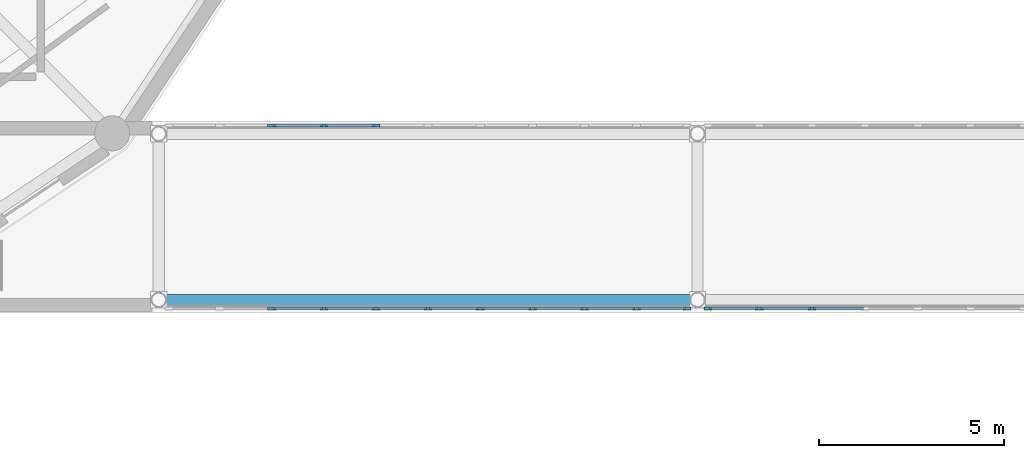
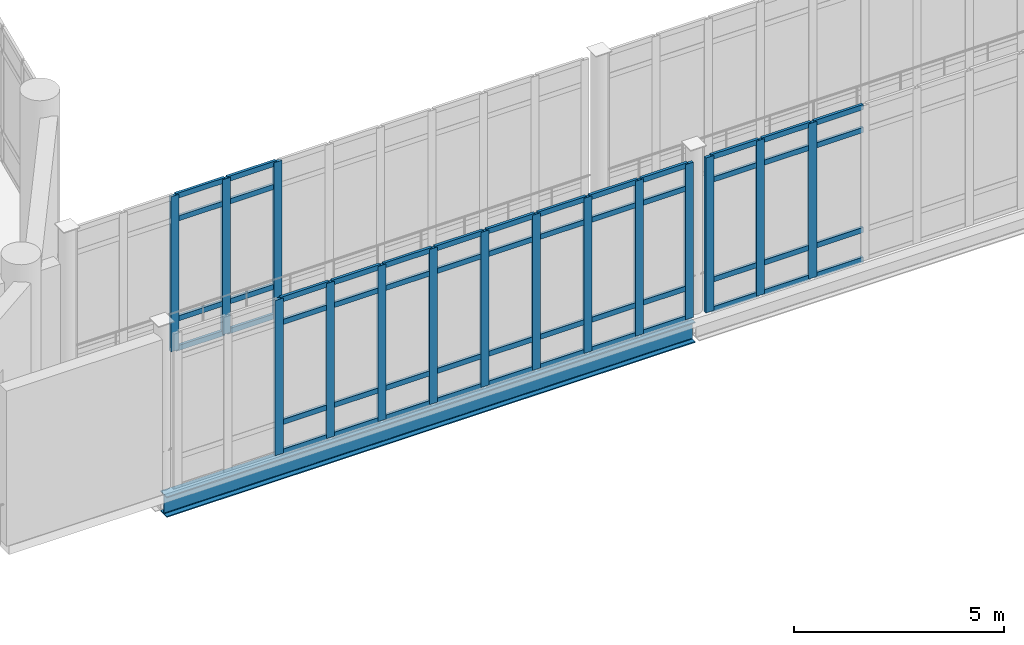
# One storey, part 19 of 89: 67 members, 1 beam, 3 elements without a shape of their own.
"""IFC4 building model written with IfcOpenShell, lengths in metres."""

from ifc_helpers import new_model, si_unit, direction, frame, origin, origin_2d, place, context, subcontext, project, spatial, rectangle, i_section, extrude, material, material_profile, profile_set, type_object, element, aggregate, save


model = new_model("IFC4")

# Units and contexts
model_context = context("Model", 3, precision=1e-05, world=origin(), true_north=direction((0.0, 1.0)))
body_context = subcontext(model_context, "Body", "Model", "MODEL_VIEW")
ifc_project = project(units=[si_unit("LENGTHUNIT", "METRE"), si_unit("AREAUNIT", "SQUARE_METRE"), si_unit("VOLUMEUNIT", "CUBIC_METRE"), si_unit("PLANEANGLEUNIT", "RADIAN"), si_unit("MASSUNIT", "GRAM", prefix="KILO")], contexts=[model_context])

# Site, building, storey
site_placement = place(None, origin())
site = spatial("IfcSite", under=ifc_project, at=site_placement, CompositionType="ELEMENT")
building_placement = place(site_placement, origin())
building = spatial("IfcBuilding", under=site, at=building_placement, Name="Soyqirgoq Riverine Aquarium", CompositionType="ELEMENT")
storey_placement = place(building_placement, frame((0.0, 0.0, 5.39990234375)))
storey = spatial("IfcBuildingStorey", under=building, at=storey_placement, Name="L02", CompositionType="ELEMENT", Elevation=5.39990234375)

# Curtain wall, members
ifc_material_1 = material(Name="Laminated solar-control bridge curtain wall", Category="aluminium")
curtain_wall_type = type_object("IfcCurtainWallType", Name="CW_Bridge_Concourse", PredefinedType="NOTDEFINED", material=ifc_material_1)
curtain_wall_1_placement = place(storey_placement, origin())
curtain_wall_1 = element("IfcCurtainWall", 1, at=curtain_wall_1_placement, inside=storey, type_object=curtain_wall_type, Name="BR-1 L02 Curtain Wall 135", PredefinedType="NOTDEFINED")
ifc_material_2 = material(Name="Anodised aluminium 6063-T6", Category="aluminium")
ifc_material_profile_1 = material_profile(ifc_material_2, rectangle(XDim=0.080078125, YDim=0.219970703125, at=origin_2d()), Name="ALU-M 80x220")
ifc_profile_set_1 = profile_set([ifc_material_profile_1], Name="Anodised aluminium 6063-T6")
member_type_1 = type_object("IfcMemberType", Name="CWMullion_80x220", PredefinedType="MULLION", material=ifc_profile_set_1)
member_1_placement = place(storey_placement, frame((72.6640625, 39.919921875, 0.0), z_axis=(0.0, 0.0, 1.0), x_axis=(0.0, 1.0, 0.0)))
member_1 = element("IfcMember", 2, at=member_1_placement, type_object=member_type_1, Name="CW-06 mullion 3", PredefinedType="MULLION", context=body_context, shape_type="SweptSolid", body=[
    extrude(rectangle(XDim=0.080078125, YDim=0.219970703125, at=origin_2d()), origin(), (0.0, 0.0, 1.0), 4.5),
])
member_2_placement = place(storey_placement, frame((74.075927734375, 39.919921875, 0.0), z_axis=(0.0, 0.0, 1.0), x_axis=(0.0, 1.0, 0.0)))
member_2 = element("IfcMember", 3, at=member_2_placement, type_object=member_type_1, Name="CW-06 mullion 4", PredefinedType="MULLION", context=body_context, shape_type="SweptSolid", body=[
    extrude(rectangle(XDim=0.080078125, YDim=0.219970703125, at=origin_2d()), origin(), (0.0, 0.0, 1.0), 4.5),
])
member_3_placement = place(storey_placement, frame((75.488037109375, 39.919921875, 0.0), z_axis=(0.0, 0.0, 1.0), x_axis=(0.0, 1.0, 0.0)))
member_3 = element("IfcMember", 4, at=member_3_placement, type_object=member_type_1, Name="CW-06 mullion 5", PredefinedType="MULLION", context=body_context, shape_type="SweptSolid", body=[
    extrude(rectangle(XDim=0.080078125, YDim=0.219970703125, at=origin_2d()), origin(), (0.0, 0.0, 1.0), 4.5),
])
member_4_placement = place(storey_placement, frame((76.89990234375, 39.919921875, 0.0), z_axis=(0.0, 0.0, 1.0), x_axis=(0.0, 1.0, 0.0)))
member_4 = element("IfcMember", 5, at=member_4_placement, type_object=member_type_1, Name="CW-06 mullion 6", PredefinedType="MULLION", context=body_context, shape_type="SweptSolid", body=[
    extrude(rectangle(XDim=0.080078125, YDim=0.219970703125, at=origin_2d()), origin(), (0.0, 0.0, 1.0), 4.5),
])
member_5_placement = place(storey_placement, frame((78.31201171875, 39.919921875, 0.0), z_axis=(0.0, 0.0, 1.0), x_axis=(0.0, 1.0, 0.0)))
member_5 = element("IfcMember", 6, at=member_5_placement, type_object=member_type_1, Name="CW-06 mullion 7", PredefinedType="MULLION", context=body_context, shape_type="SweptSolid", body=[
    extrude(rectangle(XDim=0.080078125, YDim=0.219970703125, at=origin_2d()), origin(), (0.0, 0.0, 1.0), 4.5),
])
member_6_placement = place(storey_placement, frame((79.72412109375, 39.919921875, 0.0), z_axis=(0.0, 0.0, 1.0), x_axis=(0.0, 1.0, 0.0)))
member_6 = element("IfcMember", 7, at=member_6_placement, type_object=member_type_1, Name="CW-06 mullion 8", PredefinedType="MULLION", context=body_context, shape_type="SweptSolid", body=[
    extrude(rectangle(XDim=0.080078125, YDim=0.219970703125, at=origin_2d()), origin(), (0.0, 0.0, 1.0), 4.5),
])
member_7_placement = place(storey_placement, frame((81.135986328125, 39.919921875, 0.0), z_axis=(0.0, 0.0, 1.0), x_axis=(0.0, 1.0, 0.0)))
member_7 = element("IfcMember", 8, at=member_7_placement, type_object=member_type_1, Name="CW-06 mullion 9", PredefinedType="MULLION", context=body_context, shape_type="SweptSolid", body=[
    extrude(rectangle(XDim=0.080078125, YDim=0.219970703125, at=origin_2d()), origin(), (0.0, 0.0, 1.0), 4.5),
])
member_8_placement = place(storey_placement, frame((82.548095703125, 39.919921875, 0.0), z_axis=(0.0, 0.0, 1.0), x_axis=(0.0, 1.0, 0.0)))
member_8 = element("IfcMember", 9, at=member_8_placement, type_object=member_type_1, Name="CW-06 mullion 10", PredefinedType="MULLION", context=body_context, shape_type="SweptSolid", body=[
    extrude(rectangle(XDim=0.080078125, YDim=0.219970703125, at=origin_2d()), origin(), (0.0, 0.0, 1.0), 4.5),
])
member_9_placement = place(storey_placement, frame((83.919921875, 39.919921875, 0.0), z_axis=(0.0, 0.0, 1.0), x_axis=(0.0, 1.0, 0.0)))
member_9 = element("IfcMember", 10, at=member_9_placement, type_object=member_type_1, Name="CW-06 mullion 11", PredefinedType="MULLION", context=body_context, shape_type="SweptSolid", body=[
    extrude(rectangle(XDim=0.080078125, YDim=0.219970703125, at=origin_2d()), origin(), (0.0, 0.0, 1.0), 4.5),
])

curtain_wall_2_placement = place(storey_placement, origin())
curtain_wall_2 = element("IfcCurtainWall", 11, at=curtain_wall_2_placement, inside=storey, type_object=curtain_wall_type, Name="BR-1 L02 Curtain Wall 136", PredefinedType="NOTDEFINED")
member_10_placement = place(storey_placement, frame((84.47998046875, 39.919921875, 0.0), z_axis=(0.0, 0.0, 1.0), x_axis=(0.0, 1.0, 0.0)))
member_10 = element("IfcMember", 12, at=member_10_placement, type_object=member_type_1, Name="CW-06 mullion 1", PredefinedType="MULLION", context=body_context, shape_type="SweptSolid", body=[
    extrude(rectangle(XDim=0.080078125, YDim=0.219970703125, at=origin_2d()), origin(), (0.0, 0.0, 1.0), 4.5),
])
member_11_placement = place(storey_placement, frame((85.8720703125, 39.919921875, 0.0), z_axis=(0.0, 0.0, 1.0), x_axis=(0.0, 1.0, 0.0)))
member_11 = element("IfcMember", 13, at=member_11_placement, type_object=member_type_1, Name="CW-06 mullion 2", PredefinedType="MULLION", context=body_context, shape_type="SweptSolid", body=[
    extrude(rectangle(XDim=0.080078125, YDim=0.219970703125, at=origin_2d()), origin(), (0.0, 0.0, 1.0), 4.5),
])
member_12_placement = place(storey_placement, frame((87.303955078125, 39.919921875, 0.0), z_axis=(0.0, 0.0, 1.0), x_axis=(0.0, 1.0, 0.0)))
member_12 = element("IfcMember", 14, at=member_12_placement, type_object=member_type_1, Name="CW-06 mullion 3", PredefinedType="MULLION", context=body_context, shape_type="SweptSolid", body=[
    extrude(rectangle(XDim=0.080078125, YDim=0.219970703125, at=origin_2d()), origin(), (0.0, 0.0, 1.0), 4.5),
])

curtain_wall_3_placement = place(storey_placement, origin())
curtain_wall_3 = element("IfcCurtainWall", 15, at=curtain_wall_3_placement, inside=storey, type_object=curtain_wall_type, Name="BR-1 L02 Curtain Wall 138", PredefinedType="NOTDEFINED")
member_13_placement = place(storey_placement, frame((72.6640625, 44.8798828125, 0.0), z_axis=(0.0, 0.0, 1.0), x_axis=(0.0, 1.0, 0.0)))
member_13 = element("IfcMember", 16, at=member_13_placement, type_object=member_type_1, Name="CW-06 mullion 3", PredefinedType="MULLION", context=body_context, shape_type="SweptSolid", body=[
    extrude(rectangle(XDim=0.080078125, YDim=0.219970703125, at=origin_2d()), origin(), (0.0, 0.0, 1.0), 4.5),
])
member_14_placement = place(storey_placement, frame((74.075927734375, 44.8798828125, 0.0), z_axis=(0.0, 0.0, 1.0), x_axis=(0.0, 1.0, 0.0)))
member_14 = element("IfcMember", 17, at=member_14_placement, type_object=member_type_1, Name="CW-06 mullion 4", PredefinedType="MULLION", context=body_context, shape_type="SweptSolid", body=[
    extrude(rectangle(XDim=0.080078125, YDim=0.219970703125, at=origin_2d()), origin(), (0.0, 0.0, 1.0), 4.5),
])
member_15_placement = place(storey_placement, frame((75.488037109375, 44.8798828125, 0.0), z_axis=(0.0, 0.0, 1.0), x_axis=(0.0, 1.0, 0.0)))
member_15 = element("IfcMember", 18, at=member_15_placement, type_object=member_type_1, Name="CW-06 mullion 5", PredefinedType="MULLION", context=body_context, shape_type="SweptSolid", body=[
    extrude(rectangle(XDim=0.080078125, YDim=0.219970703125, at=origin_2d()), origin(), (0.0, 0.0, 1.0), 4.5),
])

# Member
ifc_material_3 = material(Name="Anodised aluminium 6063-T6", Category="aluminium")
ifc_material_profile_2 = material_profile(ifc_material_3, rectangle(XDim=0.074951171875, YDim=0.14990234375, at=origin_2d()), Name="ALU-T 75x150")
ifc_profile_set_2 = profile_set([ifc_material_profile_2], Name="Anodised aluminium 6063-T6")
member_type_2 = type_object("IfcMemberType", Name="CWTransom_75x150", PredefinedType="USERDEFINED", material=ifc_profile_set_2)
member_16_placement = place(storey_placement, frame((72.7041015625, 39.919921875, 0.03759765625), z_axis=(1.0, 0.0, 0.0), x_axis=(0.0, 1.0, 0.0)))
member_16 = element("IfcMember", 19, at=member_16_placement, type_object=member_type_2, Name="CW-06 transom 3.1", ObjectType="TRANSOM", PredefinedType="USERDEFINED", context=body_context, shape_type="SweptSolid", body=[
    extrude(rectangle(XDim=0.074951171875, YDim=0.14990234375, at=origin_2d()), origin(), (0.0, 0.0, 1.0), 1.331787109375),
])

member_17_placement = place(storey_placement, frame((72.7041015625, 39.919921875, 0.900146484375), z_axis=(1.0, 0.0, 0.0), x_axis=(0.0, 1.0, 0.0)))
member_17 = element("IfcMember", 20, at=member_17_placement, type_object=member_type_2, Name="CW-06 transom 3.2", ObjectType="TRANSOM", PredefinedType="USERDEFINED", context=body_context, shape_type="SweptSolid", body=[
    extrude(rectangle(XDim=0.074951171875, YDim=0.14990234375, at=origin_2d()), origin(), (0.0, 0.0, 1.0), 1.331787109375),
])

member_18_placement = place(storey_placement, frame((72.7041015625, 39.919921875, 3.800048828125), z_axis=(1.0, 0.0, 0.0), x_axis=(0.0, 1.0, 0.0)))
member_18 = element("IfcMember", 21, at=member_18_placement, type_object=member_type_2, Name="CW-06 transom 3.3", ObjectType="TRANSOM", PredefinedType="USERDEFINED", context=body_context, shape_type="SweptSolid", body=[
    extrude(rectangle(XDim=0.074951171875, YDim=0.14990234375, at=origin_2d()), origin(), (0.0, 0.0, 1.0), 1.331787109375),
])

member_19_placement = place(storey_placement, frame((72.7041015625, 39.919921875, 4.462646484375), z_axis=(1.0, 0.0, 0.0), x_axis=(0.0, 1.0, 0.0)))
member_19 = element("IfcMember", 22, at=member_19_placement, type_object=member_type_2, Name="CW-06 transom 3.4", ObjectType="TRANSOM", PredefinedType="USERDEFINED", context=body_context, shape_type="SweptSolid", body=[
    extrude(rectangle(XDim=0.074951171875, YDim=0.14990234375, at=origin_2d()), origin(), (0.0, 0.0, 1.0), 1.331787109375),
])

member_20_placement = place(storey_placement, frame((74.115966796875, 39.919921875, 0.03759765625), z_axis=(1.0, 0.0, 0.0), x_axis=(0.0, 1.0, 0.0)))
member_20 = element("IfcMember", 23, at=member_20_placement, type_object=member_type_2, Name="CW-06 transom 4.1", ObjectType="TRANSOM", PredefinedType="USERDEFINED", context=body_context, shape_type="SweptSolid", body=[
    extrude(rectangle(XDim=0.074951171875, YDim=0.14990234375, at=origin_2d()), origin(), (0.0, 0.0, 1.0), 1.33203125),
])

member_21_placement = place(storey_placement, frame((74.115966796875, 39.919921875, 0.900146484375), z_axis=(1.0, 0.0, 0.0), x_axis=(0.0, 1.0, 0.0)))
member_21 = element("IfcMember", 24, at=member_21_placement, type_object=member_type_2, Name="CW-06 transom 4.2", ObjectType="TRANSOM", PredefinedType="USERDEFINED", context=body_context, shape_type="SweptSolid", body=[
    extrude(rectangle(XDim=0.074951171875, YDim=0.14990234375, at=origin_2d()), origin(), (0.0, 0.0, 1.0), 1.33203125),
])

member_22_placement = place(storey_placement, frame((74.115966796875, 39.919921875, 3.800048828125), z_axis=(1.0, 0.0, 0.0), x_axis=(0.0, 1.0, 0.0)))
member_22 = element("IfcMember", 25, at=member_22_placement, type_object=member_type_2, Name="CW-06 transom 4.3", ObjectType="TRANSOM", PredefinedType="USERDEFINED", context=body_context, shape_type="SweptSolid", body=[
    extrude(rectangle(XDim=0.074951171875, YDim=0.14990234375, at=origin_2d()), origin(), (0.0, 0.0, 1.0), 1.33203125),
])

member_23_placement = place(storey_placement, frame((74.115966796875, 39.919921875, 4.462646484375), z_axis=(1.0, 0.0, 0.0), x_axis=(0.0, 1.0, 0.0)))
member_23 = element("IfcMember", 26, at=member_23_placement, type_object=member_type_2, Name="CW-06 transom 4.4", ObjectType="TRANSOM", PredefinedType="USERDEFINED", context=body_context, shape_type="SweptSolid", body=[
    extrude(rectangle(XDim=0.074951171875, YDim=0.14990234375, at=origin_2d()), origin(), (0.0, 0.0, 1.0), 1.33203125),
])

member_24_placement = place(storey_placement, frame((75.528076171875, 39.919921875, 0.03759765625), z_axis=(1.0, 0.0, 0.0), x_axis=(0.0, 1.0, 0.0)))
member_24 = element("IfcMember", 27, at=member_24_placement, type_object=member_type_2, Name="CW-06 transom 5.1", ObjectType="TRANSOM", PredefinedType="USERDEFINED", context=body_context, shape_type="SweptSolid", body=[
    extrude(rectangle(XDim=0.074951171875, YDim=0.14990234375, at=origin_2d()), origin(), (0.0, 0.0, 1.0), 1.33203125),
])

member_25_placement = place(storey_placement, frame((75.528076171875, 39.919921875, 0.900146484375), z_axis=(1.0, 0.0, 0.0), x_axis=(0.0, 1.0, 0.0)))
member_25 = element("IfcMember", 28, at=member_25_placement, type_object=member_type_2, Name="CW-06 transom 5.2", ObjectType="TRANSOM", PredefinedType="USERDEFINED", context=body_context, shape_type="SweptSolid", body=[
    extrude(rectangle(XDim=0.074951171875, YDim=0.14990234375, at=origin_2d()), origin(), (0.0, 0.0, 1.0), 1.33203125),
])

member_26_placement = place(storey_placement, frame((75.528076171875, 39.919921875, 3.800048828125), z_axis=(1.0, 0.0, 0.0), x_axis=(0.0, 1.0, 0.0)))
member_26 = element("IfcMember", 29, at=member_26_placement, type_object=member_type_2, Name="CW-06 transom 5.3", ObjectType="TRANSOM", PredefinedType="USERDEFINED", context=body_context, shape_type="SweptSolid", body=[
    extrude(rectangle(XDim=0.074951171875, YDim=0.14990234375, at=origin_2d()), origin(), (0.0, 0.0, 1.0), 1.33203125),
])

member_27_placement = place(storey_placement, frame((75.528076171875, 39.919921875, 4.462646484375), z_axis=(1.0, 0.0, 0.0), x_axis=(0.0, 1.0, 0.0)))
member_27 = element("IfcMember", 30, at=member_27_placement, type_object=member_type_2, Name="CW-06 transom 5.4", ObjectType="TRANSOM", PredefinedType="USERDEFINED", context=body_context, shape_type="SweptSolid", body=[
    extrude(rectangle(XDim=0.074951171875, YDim=0.14990234375, at=origin_2d()), origin(), (0.0, 0.0, 1.0), 1.33203125),
])

member_28_placement = place(storey_placement, frame((76.93994140625, 39.919921875, 0.03759765625), z_axis=(1.0, 0.0, 0.0), x_axis=(0.0, 1.0, 0.0)))
member_28 = element("IfcMember", 31, at=member_28_placement, type_object=member_type_2, Name="CW-06 transom 6.1", ObjectType="TRANSOM", PredefinedType="USERDEFINED", context=body_context, shape_type="SweptSolid", body=[
    extrude(rectangle(XDim=0.074951171875, YDim=0.14990234375, at=origin_2d()), origin(), (0.0, 0.0, 1.0), 1.33203125),
])

member_29_placement = place(storey_placement, frame((76.93994140625, 39.919921875, 0.900146484375), z_axis=(1.0, 0.0, 0.0), x_axis=(0.0, 1.0, 0.0)))
member_29 = element("IfcMember", 32, at=member_29_placement, type_object=member_type_2, Name="CW-06 transom 6.2", ObjectType="TRANSOM", PredefinedType="USERDEFINED", context=body_context, shape_type="SweptSolid", body=[
    extrude(rectangle(XDim=0.074951171875, YDim=0.14990234375, at=origin_2d()), origin(), (0.0, 0.0, 1.0), 1.33203125),
])

member_30_placement = place(storey_placement, frame((76.93994140625, 39.919921875, 3.800048828125), z_axis=(1.0, 0.0, 0.0), x_axis=(0.0, 1.0, 0.0)))
member_30 = element("IfcMember", 33, at=member_30_placement, type_object=member_type_2, Name="CW-06 transom 6.3", ObjectType="TRANSOM", PredefinedType="USERDEFINED", context=body_context, shape_type="SweptSolid", body=[
    extrude(rectangle(XDim=0.074951171875, YDim=0.14990234375, at=origin_2d()), origin(), (0.0, 0.0, 1.0), 1.33203125),
])

member_31_placement = place(storey_placement, frame((76.93994140625, 39.919921875, 4.462646484375), z_axis=(1.0, 0.0, 0.0), x_axis=(0.0, 1.0, 0.0)))
member_31 = element("IfcMember", 34, at=member_31_placement, type_object=member_type_2, Name="CW-06 transom 6.4", ObjectType="TRANSOM", PredefinedType="USERDEFINED", context=body_context, shape_type="SweptSolid", body=[
    extrude(rectangle(XDim=0.074951171875, YDim=0.14990234375, at=origin_2d()), origin(), (0.0, 0.0, 1.0), 1.33203125),
])

member_32_placement = place(storey_placement, frame((78.35205078125, 39.919921875, 0.03759765625), z_axis=(1.0, 0.0, 0.0), x_axis=(0.0, 1.0, 0.0)))
member_32 = element("IfcMember", 35, at=member_32_placement, type_object=member_type_2, Name="CW-06 transom 7.1", ObjectType="TRANSOM", PredefinedType="USERDEFINED", context=body_context, shape_type="SweptSolid", body=[
    extrude(rectangle(XDim=0.074951171875, YDim=0.14990234375, at=origin_2d()), origin(), (0.0, 0.0, 1.0), 1.33203125),
])

member_33_placement = place(storey_placement, frame((78.35205078125, 39.919921875, 0.900146484375), z_axis=(1.0, 0.0, 0.0), x_axis=(0.0, 1.0, 0.0)))
member_33 = element("IfcMember", 36, at=member_33_placement, type_object=member_type_2, Name="CW-06 transom 7.2", ObjectType="TRANSOM", PredefinedType="USERDEFINED", context=body_context, shape_type="SweptSolid", body=[
    extrude(rectangle(XDim=0.074951171875, YDim=0.14990234375, at=origin_2d()), origin(), (0.0, 0.0, 1.0), 1.33203125),
])

member_34_placement = place(storey_placement, frame((78.35205078125, 39.919921875, 3.800048828125), z_axis=(1.0, 0.0, 0.0), x_axis=(0.0, 1.0, 0.0)))
member_34 = element("IfcMember", 37, at=member_34_placement, type_object=member_type_2, Name="CW-06 transom 7.3", ObjectType="TRANSOM", PredefinedType="USERDEFINED", context=body_context, shape_type="SweptSolid", body=[
    extrude(rectangle(XDim=0.074951171875, YDim=0.14990234375, at=origin_2d()), origin(), (0.0, 0.0, 1.0), 1.33203125),
])

member_35_placement = place(storey_placement, frame((78.35205078125, 39.919921875, 4.462646484375), z_axis=(1.0, 0.0, 0.0), x_axis=(0.0, 1.0, 0.0)))
member_35 = element("IfcMember", 38, at=member_35_placement, type_object=member_type_2, Name="CW-06 transom 7.4", ObjectType="TRANSOM", PredefinedType="USERDEFINED", context=body_context, shape_type="SweptSolid", body=[
    extrude(rectangle(XDim=0.074951171875, YDim=0.14990234375, at=origin_2d()), origin(), (0.0, 0.0, 1.0), 1.33203125),
])

member_36_placement = place(storey_placement, frame((79.763916015625, 39.919921875, 0.03759765625), z_axis=(1.0, 0.0, 0.0), x_axis=(0.0, 1.0, 0.0)))
member_36 = element("IfcMember", 39, at=member_36_placement, type_object=member_type_2, Name="CW-06 transom 8.1", ObjectType="TRANSOM", PredefinedType="USERDEFINED", context=body_context, shape_type="SweptSolid", body=[
    extrude(rectangle(XDim=0.074951171875, YDim=0.14990234375, at=origin_2d()), origin(), (0.0, 0.0, 1.0), 1.33203125),
])

member_37_placement = place(storey_placement, frame((79.763916015625, 39.919921875, 0.900146484375), z_axis=(1.0, 0.0, 0.0), x_axis=(0.0, 1.0, 0.0)))
member_37 = element("IfcMember", 40, at=member_37_placement, type_object=member_type_2, Name="CW-06 transom 8.2", ObjectType="TRANSOM", PredefinedType="USERDEFINED", context=body_context, shape_type="SweptSolid", body=[
    extrude(rectangle(XDim=0.074951171875, YDim=0.14990234375, at=origin_2d()), origin(), (0.0, 0.0, 1.0), 1.33203125),
])

member_38_placement = place(storey_placement, frame((79.763916015625, 39.919921875, 3.800048828125), z_axis=(1.0, 0.0, 0.0), x_axis=(0.0, 1.0, 0.0)))
member_38 = element("IfcMember", 41, at=member_38_placement, type_object=member_type_2, Name="CW-06 transom 8.3", ObjectType="TRANSOM", PredefinedType="USERDEFINED", context=body_context, shape_type="SweptSolid", body=[
    extrude(rectangle(XDim=0.074951171875, YDim=0.14990234375, at=origin_2d()), origin(), (0.0, 0.0, 1.0), 1.33203125),
])

member_39_placement = place(storey_placement, frame((79.763916015625, 39.919921875, 4.462646484375), z_axis=(1.0, 0.0, 0.0), x_axis=(0.0, 1.0, 0.0)))
member_39 = element("IfcMember", 42, at=member_39_placement, type_object=member_type_2, Name="CW-06 transom 8.4", ObjectType="TRANSOM", PredefinedType="USERDEFINED", context=body_context, shape_type="SweptSolid", body=[
    extrude(rectangle(XDim=0.074951171875, YDim=0.14990234375, at=origin_2d()), origin(), (0.0, 0.0, 1.0), 1.33203125),
])

member_40_placement = place(storey_placement, frame((81.176025390625, 39.919921875, 0.03759765625), z_axis=(1.0, 0.0, 0.0), x_axis=(0.0, 1.0, 0.0)))
member_40 = element("IfcMember", 43, at=member_40_placement, type_object=member_type_2, Name="CW-06 transom 9.1", ObjectType="TRANSOM", PredefinedType="USERDEFINED", context=body_context, shape_type="SweptSolid", body=[
    extrude(rectangle(XDim=0.074951171875, YDim=0.14990234375, at=origin_2d()), origin(), (0.0, 0.0, 1.0), 1.33203125),
])

member_41_placement = place(storey_placement, frame((81.176025390625, 39.919921875, 0.900146484375), z_axis=(1.0, 0.0, 0.0), x_axis=(0.0, 1.0, 0.0)))
member_41 = element("IfcMember", 44, at=member_41_placement, type_object=member_type_2, Name="CW-06 transom 9.2", ObjectType="TRANSOM", PredefinedType="USERDEFINED", context=body_context, shape_type="SweptSolid", body=[
    extrude(rectangle(XDim=0.074951171875, YDim=0.14990234375, at=origin_2d()), origin(), (0.0, 0.0, 1.0), 1.33203125),
])

member_42_placement = place(storey_placement, frame((81.176025390625, 39.919921875, 3.800048828125), z_axis=(1.0, 0.0, 0.0), x_axis=(0.0, 1.0, 0.0)))
member_42 = element("IfcMember", 45, at=member_42_placement, type_object=member_type_2, Name="CW-06 transom 9.3", ObjectType="TRANSOM", PredefinedType="USERDEFINED", context=body_context, shape_type="SweptSolid", body=[
    extrude(rectangle(XDim=0.074951171875, YDim=0.14990234375, at=origin_2d()), origin(), (0.0, 0.0, 1.0), 1.33203125),
])

member_43_placement = place(storey_placement, frame((81.176025390625, 39.919921875, 4.462646484375), z_axis=(1.0, 0.0, 0.0), x_axis=(0.0, 1.0, 0.0)))
member_43 = element("IfcMember", 46, at=member_43_placement, type_object=member_type_2, Name="CW-06 transom 9.4", ObjectType="TRANSOM", PredefinedType="USERDEFINED", context=body_context, shape_type="SweptSolid", body=[
    extrude(rectangle(XDim=0.074951171875, YDim=0.14990234375, at=origin_2d()), origin(), (0.0, 0.0, 1.0), 1.33203125),
])

member_44_placement = place(storey_placement, frame((82.587890625, 39.919921875, 0.03759765625), z_axis=(1.0, 0.0, 0.0), x_axis=(0.0, 1.0, 0.0)))
member_44 = element("IfcMember", 47, at=member_44_placement, type_object=member_type_2, Name="CW-06 transom 10.1", ObjectType="TRANSOM", PredefinedType="USERDEFINED", context=body_context, shape_type="SweptSolid", body=[
    extrude(rectangle(XDim=0.074951171875, YDim=0.14990234375, at=origin_2d()), origin(), (0.0, 0.0, 1.0), 1.2919921875),
])

member_45_placement = place(storey_placement, frame((82.587890625, 39.919921875, 0.900146484375), z_axis=(1.0, 0.0, 0.0), x_axis=(0.0, 1.0, 0.0)))
member_45 = element("IfcMember", 48, at=member_45_placement, type_object=member_type_2, Name="CW-06 transom 10.2", ObjectType="TRANSOM", PredefinedType="USERDEFINED", context=body_context, shape_type="SweptSolid", body=[
    extrude(rectangle(XDim=0.074951171875, YDim=0.14990234375, at=origin_2d()), origin(), (0.0, 0.0, 1.0), 1.2919921875),
])

member_46_placement = place(storey_placement, frame((82.587890625, 39.919921875, 3.800048828125), z_axis=(1.0, 0.0, 0.0), x_axis=(0.0, 1.0, 0.0)))
member_46 = element("IfcMember", 49, at=member_46_placement, type_object=member_type_2, Name="CW-06 transom 10.3", ObjectType="TRANSOM", PredefinedType="USERDEFINED", context=body_context, shape_type="SweptSolid", body=[
    extrude(rectangle(XDim=0.074951171875, YDim=0.14990234375, at=origin_2d()), origin(), (0.0, 0.0, 1.0), 1.2919921875),
])

member_47_placement = place(storey_placement, frame((82.587890625, 39.919921875, 4.462646484375), z_axis=(1.0, 0.0, 0.0), x_axis=(0.0, 1.0, 0.0)))
member_47 = element("IfcMember", 50, at=member_47_placement, type_object=member_type_2, Name="CW-06 transom 10.4", ObjectType="TRANSOM", PredefinedType="USERDEFINED", context=body_context, shape_type="SweptSolid", body=[
    extrude(rectangle(XDim=0.074951171875, YDim=0.14990234375, at=origin_2d()), origin(), (0.0, 0.0, 1.0), 1.2919921875),
])

aggregate(curtain_wall_1, [member_1, member_2, member_3, member_4, member_5, member_6, member_7, member_8, member_9, member_16, member_17, member_18, member_19, member_20, member_21, member_22, member_23, member_24, member_25, member_26, member_27, member_28, member_29, member_30, member_31, member_32, member_33, member_34, member_35, member_36, member_37, member_38, member_39, member_40, member_41, member_42, member_43, member_44, member_45, member_46, member_47])

member_48_placement = place(storey_placement, frame((84.52001953125, 39.919921875, 0.03759765625), z_axis=(1.0, 0.0, 0.0), x_axis=(0.0, 1.0, 0.0)))
member_48 = element("IfcMember", 51, at=member_48_placement, type_object=member_type_2, Name="CW-06 transom 1.1", ObjectType="TRANSOM", PredefinedType="USERDEFINED", context=body_context, shape_type="SweptSolid", body=[
    extrude(rectangle(XDim=0.074951171875, YDim=0.14990234375, at=origin_2d()), origin(), (0.0, 0.0, 1.0), 1.31201171875),
])

member_49_placement = place(storey_placement, frame((84.52001953125, 39.919921875, 0.900146484375), z_axis=(1.0, 0.0, 0.0), x_axis=(0.0, 1.0, 0.0)))
member_49 = element("IfcMember", 52, at=member_49_placement, type_object=member_type_2, Name="CW-06 transom 1.2", ObjectType="TRANSOM", PredefinedType="USERDEFINED", context=body_context, shape_type="SweptSolid", body=[
    extrude(rectangle(XDim=0.074951171875, YDim=0.14990234375, at=origin_2d()), origin(), (0.0, 0.0, 1.0), 1.31201171875),
])

member_50_placement = place(storey_placement, frame((84.52001953125, 39.919921875, 3.800048828125), z_axis=(1.0, 0.0, 0.0), x_axis=(0.0, 1.0, 0.0)))
member_50 = element("IfcMember", 53, at=member_50_placement, type_object=member_type_2, Name="CW-06 transom 1.3", ObjectType="TRANSOM", PredefinedType="USERDEFINED", context=body_context, shape_type="SweptSolid", body=[
    extrude(rectangle(XDim=0.074951171875, YDim=0.14990234375, at=origin_2d()), origin(), (0.0, 0.0, 1.0), 1.31201171875),
])

member_51_placement = place(storey_placement, frame((84.52001953125, 39.919921875, 4.462646484375), z_axis=(1.0, 0.0, 0.0), x_axis=(0.0, 1.0, 0.0)))
member_51 = element("IfcMember", 54, at=member_51_placement, type_object=member_type_2, Name="CW-06 transom 1.4", ObjectType="TRANSOM", PredefinedType="USERDEFINED", context=body_context, shape_type="SweptSolid", body=[
    extrude(rectangle(XDim=0.074951171875, YDim=0.14990234375, at=origin_2d()), origin(), (0.0, 0.0, 1.0), 1.31201171875),
])

member_52_placement = place(storey_placement, frame((85.912109375, 39.919921875, 0.03759765625), z_axis=(1.0, 0.0, 0.0), x_axis=(0.0, 1.0, 0.0)))
member_52 = element("IfcMember", 55, at=member_52_placement, type_object=member_type_2, Name="CW-06 transom 2.1", ObjectType="TRANSOM", PredefinedType="USERDEFINED", context=body_context, shape_type="SweptSolid", body=[
    extrude(rectangle(XDim=0.074951171875, YDim=0.14990234375, at=origin_2d()), origin(), (0.0, 0.0, 1.0), 1.351806640625),
])

member_53_placement = place(storey_placement, frame((85.912109375, 39.919921875, 0.900146484375), z_axis=(1.0, 0.0, 0.0), x_axis=(0.0, 1.0, 0.0)))
member_53 = element("IfcMember", 56, at=member_53_placement, type_object=member_type_2, Name="CW-06 transom 2.2", ObjectType="TRANSOM", PredefinedType="USERDEFINED", context=body_context, shape_type="SweptSolid", body=[
    extrude(rectangle(XDim=0.074951171875, YDim=0.14990234375, at=origin_2d()), origin(), (0.0, 0.0, 1.0), 1.351806640625),
])

member_54_placement = place(storey_placement, frame((85.912109375, 39.919921875, 3.800048828125), z_axis=(1.0, 0.0, 0.0), x_axis=(0.0, 1.0, 0.0)))
member_54 = element("IfcMember", 57, at=member_54_placement, type_object=member_type_2, Name="CW-06 transom 2.3", ObjectType="TRANSOM", PredefinedType="USERDEFINED", context=body_context, shape_type="SweptSolid", body=[
    extrude(rectangle(XDim=0.074951171875, YDim=0.14990234375, at=origin_2d()), origin(), (0.0, 0.0, 1.0), 1.351806640625),
])

member_55_placement = place(storey_placement, frame((85.912109375, 39.919921875, 4.462646484375), z_axis=(1.0, 0.0, 0.0), x_axis=(0.0, 1.0, 0.0)))
member_55 = element("IfcMember", 58, at=member_55_placement, type_object=member_type_2, Name="CW-06 transom 2.4", ObjectType="TRANSOM", PredefinedType="USERDEFINED", context=body_context, shape_type="SweptSolid", body=[
    extrude(rectangle(XDim=0.074951171875, YDim=0.14990234375, at=origin_2d()), origin(), (0.0, 0.0, 1.0), 1.351806640625),
])

member_56_placement = place(storey_placement, frame((87.343994140625, 39.919921875, 0.03759765625), z_axis=(1.0, 0.0, 0.0), x_axis=(0.0, 1.0, 0.0)))
member_56 = element("IfcMember", 59, at=member_56_placement, type_object=member_type_2, Name="CW-06 transom 3.1", ObjectType="TRANSOM", PredefinedType="USERDEFINED", context=body_context, shape_type="SweptSolid", body=[
    extrude(rectangle(XDim=0.074951171875, YDim=0.14990234375, at=origin_2d()), origin(), (0.0, 0.0, 1.0), 1.35205078125),
])

member_57_placement = place(storey_placement, frame((87.343994140625, 39.919921875, 0.900146484375), z_axis=(1.0, 0.0, 0.0), x_axis=(0.0, 1.0, 0.0)))
member_57 = element("IfcMember", 60, at=member_57_placement, type_object=member_type_2, Name="CW-06 transom 3.2", ObjectType="TRANSOM", PredefinedType="USERDEFINED", context=body_context, shape_type="SweptSolid", body=[
    extrude(rectangle(XDim=0.074951171875, YDim=0.14990234375, at=origin_2d()), origin(), (0.0, 0.0, 1.0), 1.35205078125),
])

member_58_placement = place(storey_placement, frame((87.343994140625, 39.919921875, 3.800048828125), z_axis=(1.0, 0.0, 0.0), x_axis=(0.0, 1.0, 0.0)))
member_58 = element("IfcMember", 61, at=member_58_placement, type_object=member_type_2, Name="CW-06 transom 3.3", ObjectType="TRANSOM", PredefinedType="USERDEFINED", context=body_context, shape_type="SweptSolid", body=[
    extrude(rectangle(XDim=0.074951171875, YDim=0.14990234375, at=origin_2d()), origin(), (0.0, 0.0, 1.0), 1.35205078125),
])

member_59_placement = place(storey_placement, frame((87.343994140625, 39.919921875, 4.462646484375), z_axis=(1.0, 0.0, 0.0), x_axis=(0.0, 1.0, 0.0)))
member_59 = element("IfcMember", 62, at=member_59_placement, type_object=member_type_2, Name="CW-06 transom 3.4", ObjectType="TRANSOM", PredefinedType="USERDEFINED", context=body_context, shape_type="SweptSolid", body=[
    extrude(rectangle(XDim=0.074951171875, YDim=0.14990234375, at=origin_2d()), origin(), (0.0, 0.0, 1.0), 1.35205078125),
])

aggregate(curtain_wall_2, [member_10, member_11, member_12, member_48, member_49, member_50, member_51, member_52, member_53, member_54, member_55, member_56, member_57, member_58, member_59])

member_60_placement = place(storey_placement, frame((72.7041015625, 44.8798828125, 0.03759765625), z_axis=(1.0, 0.0, 0.0), x_axis=(0.0, 1.0, 0.0)))
member_60 = element("IfcMember", 63, at=member_60_placement, type_object=member_type_2, Name="CW-06 transom 3.1", ObjectType="TRANSOM", PredefinedType="USERDEFINED", context=body_context, shape_type="SweptSolid", body=[
    extrude(rectangle(XDim=0.074951171875, YDim=0.14990234375, at=origin_2d()), origin(), (0.0, 0.0, 1.0), 1.331787109375),
])

member_61_placement = place(storey_placement, frame((72.7041015625, 44.8798828125, 0.900146484375), z_axis=(1.0, 0.0, 0.0), x_axis=(0.0, 1.0, 0.0)))
member_61 = element("IfcMember", 64, at=member_61_placement, type_object=member_type_2, Name="CW-06 transom 3.2", ObjectType="TRANSOM", PredefinedType="USERDEFINED", context=body_context, shape_type="SweptSolid", body=[
    extrude(rectangle(XDim=0.074951171875, YDim=0.14990234375, at=origin_2d()), origin(), (0.0, 0.0, 1.0), 1.331787109375),
])

member_62_placement = place(storey_placement, frame((72.7041015625, 44.8798828125, 3.800048828125), z_axis=(1.0, 0.0, 0.0), x_axis=(0.0, 1.0, 0.0)))
member_62 = element("IfcMember", 65, at=member_62_placement, type_object=member_type_2, Name="CW-06 transom 3.3", ObjectType="TRANSOM", PredefinedType="USERDEFINED", context=body_context, shape_type="SweptSolid", body=[
    extrude(rectangle(XDim=0.074951171875, YDim=0.14990234375, at=origin_2d()), origin(), (0.0, 0.0, 1.0), 1.331787109375),
])

member_63_placement = place(storey_placement, frame((72.7041015625, 44.8798828125, 4.462646484375), z_axis=(1.0, 0.0, 0.0), x_axis=(0.0, 1.0, 0.0)))
member_63 = element("IfcMember", 66, at=member_63_placement, type_object=member_type_2, Name="CW-06 transom 3.4", ObjectType="TRANSOM", PredefinedType="USERDEFINED", context=body_context, shape_type="SweptSolid", body=[
    extrude(rectangle(XDim=0.074951171875, YDim=0.14990234375, at=origin_2d()), origin(), (0.0, 0.0, 1.0), 1.331787109375),
])

member_64_placement = place(storey_placement, frame((74.115966796875, 44.8798828125, 0.03759765625), z_axis=(1.0, 0.0, 0.0), x_axis=(0.0, 1.0, 0.0)))
member_64 = element("IfcMember", 67, at=member_64_placement, type_object=member_type_2, Name="CW-06 transom 4.1", ObjectType="TRANSOM", PredefinedType="USERDEFINED", context=body_context, shape_type="SweptSolid", body=[
    extrude(rectangle(XDim=0.074951171875, YDim=0.14990234375, at=origin_2d()), origin(), (0.0, 0.0, 1.0), 1.33203125),
])

member_65_placement = place(storey_placement, frame((74.115966796875, 44.8798828125, 0.900146484375), z_axis=(1.0, 0.0, 0.0), x_axis=(0.0, 1.0, 0.0)))
member_65 = element("IfcMember", 68, at=member_65_placement, type_object=member_type_2, Name="CW-06 transom 4.2", ObjectType="TRANSOM", PredefinedType="USERDEFINED", context=body_context, shape_type="SweptSolid", body=[
    extrude(rectangle(XDim=0.074951171875, YDim=0.14990234375, at=origin_2d()), origin(), (0.0, 0.0, 1.0), 1.33203125),
])

member_66_placement = place(storey_placement, frame((74.115966796875, 44.8798828125, 3.800048828125), z_axis=(1.0, 0.0, 0.0), x_axis=(0.0, 1.0, 0.0)))
member_66 = element("IfcMember", 69, at=member_66_placement, type_object=member_type_2, Name="CW-06 transom 4.3", ObjectType="TRANSOM", PredefinedType="USERDEFINED", context=body_context, shape_type="SweptSolid", body=[
    extrude(rectangle(XDim=0.074951171875, YDim=0.14990234375, at=origin_2d()), origin(), (0.0, 0.0, 1.0), 1.33203125),
])

member_67_placement = place(storey_placement, frame((74.115966796875, 44.8798828125, 4.462646484375), z_axis=(1.0, 0.0, 0.0), x_axis=(0.0, 1.0, 0.0)))
member_67 = element("IfcMember", 70, at=member_67_placement, type_object=member_type_2, Name="CW-06 transom 4.4", ObjectType="TRANSOM", PredefinedType="USERDEFINED", context=body_context, shape_type="SweptSolid", body=[
    extrude(rectangle(XDim=0.074951171875, YDim=0.14990234375, at=origin_2d()), origin(), (0.0, 0.0, 1.0), 1.33203125),
])

aggregate(curtain_wall_3, [member_13, member_14, member_15, member_60, member_61, member_62, member_63, member_64, member_65, member_66, member_67])

# Beam
ifc_material_4 = material(Name="Structural steel S355", Category="steel")
ifc_material_profile_3 = material_profile(ifc_material_4, i_section(OverallWidth=0.300048828125, OverallDepth=0.60009765625, WebThickness=0.015380859375, FlangeThickness=0.030029296875, FilletRadius=0.027099609375, at=origin_2d()), Name="HEB 600")
ifc_profile_set_3 = profile_set([ifc_material_profile_3], Name="Structural steel S355")
beam_type = type_object("IfcBeamType", Name="SteelGirder_HEB600", PredefinedType="BEAM", material=ifc_profile_set_3)
beam_placement = place(storey_placement, frame((69.64990234375, 40.14990234375, -0.5498046875), z_axis=(1.0, 0.0, 0.0), x_axis=(0.0, 1.0, 0.0)))
element("IfcBeam", 71, at=beam_placement, inside=storey, type_object=beam_type, Name="BR-1 L02 Bridge Deck Longitudinal Girder 1427", PredefinedType="BEAM", context=body_context, shape_type="SweptSolid", body=[
    extrude(i_section(OverallWidth=0.300048828125, OverallDepth=0.60009765625, WebThickness=0.015380859375, FlangeThickness=0.030029296875, FilletRadius=0.027099609375, at=origin_2d()), origin(), (0.0, 0.0, 1.0), 14.5),
])

save(model, "model.ifc")
